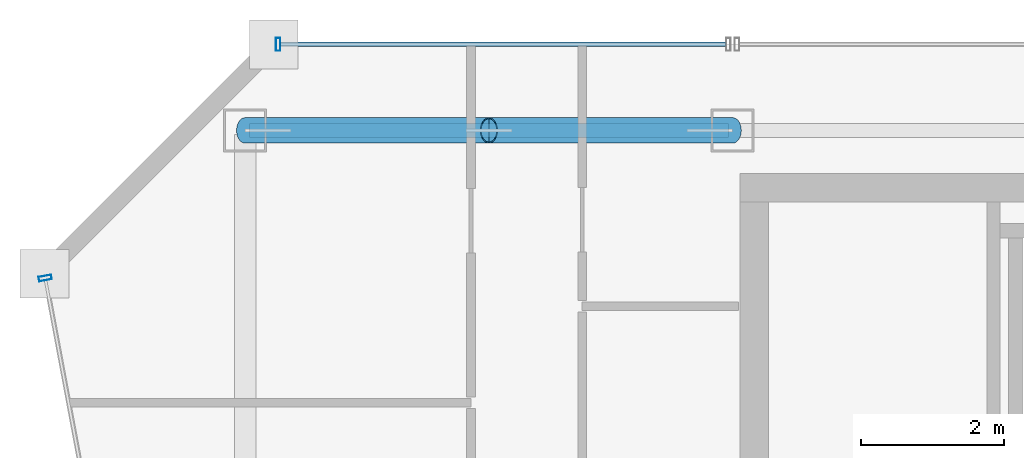
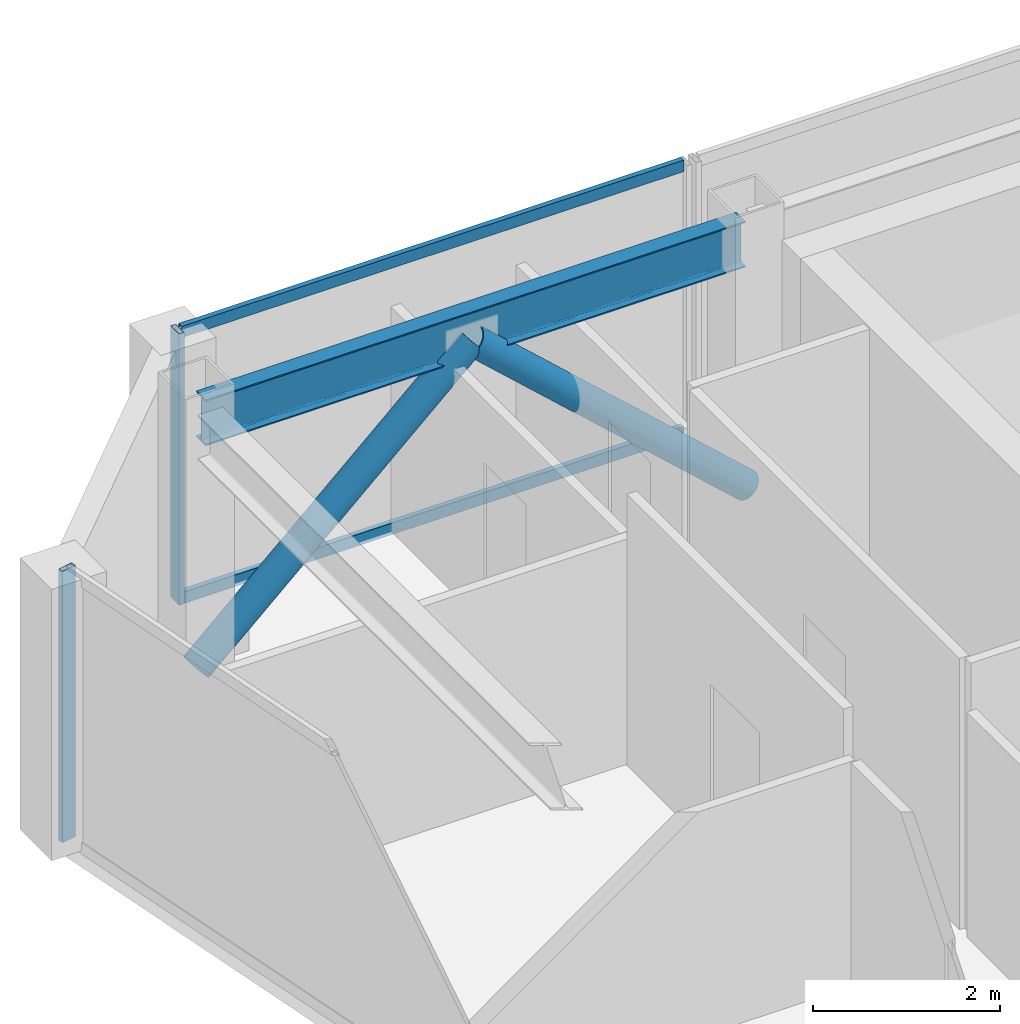
# One storey, part 8 of 23: 6 members, 1 beam, 2 elements without a shape of their own.
"""IFC4 building model written with IfcOpenShell, lengths in metres."""

from ifc_helpers import new_model, si_unit, direction, frame, origin, origin_2d, place, context, subcontext, project, spatial, hollow_rectangle, hollow_circle, i_section, extrude, material, material_profile, profile_set, type_object, element, aggregate, save


model = new_model("IFC4")

# Units and contexts
model_context = context("Model", 3, precision=1e-05, world=origin(), true_north=direction((0.0, 1.0)))
body_context = subcontext(model_context, "Body", "Model", "MODEL_VIEW")
ifc_project = project(units=[si_unit("LENGTHUNIT", "METRE"), si_unit("AREAUNIT", "SQUARE_METRE"), si_unit("VOLUMEUNIT", "CUBIC_METRE"), si_unit("PLANEANGLEUNIT", "RADIAN"), si_unit("MASSUNIT", "GRAM", prefix="KILO")], contexts=[model_context])

# Site, building, storey
site_placement = place(None, origin())
site = spatial("IfcSite", under=ifc_project, at=site_placement, CompositionType="ELEMENT")
building_placement = place(site_placement, origin())
building = spatial("IfcBuilding", under=site, at=building_placement, Name="Saevonmaru Cultural Tower", CompositionType="ELEMENT")
storey_placement = place(building_placement, frame((0.0, 0.0, 280.0)))
storey = spatial("IfcBuildingStorey", under=building, at=storey_placement, Name="L66", CompositionType="ELEMENT", Elevation=280.0)

# Beam
ifc_material_1 = material(Name="Steel SM355", Category="steel")
ifc_material_profile_1 = material_profile(ifc_material_1, i_section(OverallWidth=0.199951171875, OverallDepth=0.60009765625, WebThickness=0.010986328125, FlangeThickness=0.01708984375, FilletRadius=0.02197265625, at=origin_2d()), Name="H-600x200x11x17")
ifc_profile_set_1 = profile_set([ifc_material_profile_1], Name="Steel SM355")
beam_type = type_object("IfcBeamType", Name="BM-SP-H600", PredefinedType="SPANDREL", material=ifc_profile_set_1)
beam_placement = place(storey_placement, frame((6.860107421875, 54.800048828125, 3.25), z_axis=(1.0, 0.0, 0.0), x_axis=(0.0, 1.0, 0.0)))
element("IfcBeam", 1, at=beam_placement, inside=storey, type_object=beam_type, Name="L66 North Spine Girder 1", PredefinedType="SPANDREL", context=body_context, shape_type="SweptSolid", body=[
    extrude(i_section(OverallWidth=0.199951171875, OverallDepth=0.60009765625, WebThickness=0.010986328125, FlangeThickness=0.01708984375, FilletRadius=0.02197265625, at=origin_2d()), origin(), (0.0, 0.0, 1.0), 6.679931640625),
])

# Members
ifc_material_profile_2 = material_profile(ifc_material_1, hollow_circle(Radius=0.177734375, WallThickness=0.01611328125, at=origin_2d()), Name="CHS-355.6x16")
ifc_profile_set_2 = profile_set([ifc_material_profile_2], Name="Steel SM355")
member_type_1 = type_object("IfcMemberType", Name="MB-PBR-CHS356", PredefinedType="BRACE", material=ifc_profile_set_2)
member_1_placement = place(storey_placement, frame((6.800048828125, 54.800048828125, 0.02001953125), z_axis=(0.738935641579, 0.0, 0.673776014417), x_axis=(0.0, 1.0, 0.0)))
element("IfcMember", 2, at=member_1_placement, inside=storey, type_object=member_type_1, Name="L66 Perimeter Braced-Tube Diagonal WN1", PredefinedType="BRACE", context=body_context, shape_type="SweptSolid", body=[
    extrude(hollow_circle(Radius=0.177734375, WallThickness=0.01611328125, at=origin_2d()), origin(), (0.0, 0.0, 1.0), 4.60107421875),
])
member_2_placement = place(storey_placement, frame((13.60009765625, 54.800048828125, 0.02001953125), z_axis=(-0.738959728749, 0.0, 0.673749596873), x_axis=(0.0, -1.0, 0.0)))
element("IfcMember", 3, at=member_2_placement, inside=storey, type_object=member_type_1, Name="L66 Perimeter Braced-Tube Diagonal WN2", PredefinedType="BRACE", context=body_context, shape_type="SweptSolid", body=[
    extrude(hollow_circle(Radius=0.177734375, WallThickness=0.01611328125, at=origin_2d()), origin(), (0.0, 0.0, 1.0), 4.601318359375),
])

# Curtain wall, member
ifc_material_2 = material(Name="Satin Bronze Anodised Aluminium", Category="aluminium")
curtain_wall_type = type_object("IfcCurtainWallType", Name="CW-TYP-B", PredefinedType="NOTDEFINED", material=ifc_material_2)
curtain_wall_1_placement = place(storey_placement, origin())
curtain_wall_1 = element("IfcCurtainWall", 4, at=curtain_wall_1_placement, inside=storey, type_object=curtain_wall_type, Name="L66 West Braced Bay Spandrel Curtain Wall E10C", PredefinedType="NOTDEFINED")
ifc_material_profile_3 = material_profile(ifc_material_2, hollow_rectangle(XDim=0.06494140625, YDim=0.179931640625, WallThickness=0.00390625, at=origin_2d()), Name="ALU-MULL-180x65x4")
ifc_profile_set_3 = profile_set([ifc_material_profile_3], Name="Satin Bronze Anodised Aluminium")
member_type_2 = type_object("IfcMemberType", Name="ML-CW-180x65", PredefinedType="MULLION", material=ifc_profile_set_3)
member_3_placement = place(storey_placement, frame((7.260009765625, 56.0, 0.0), z_axis=(0.0, 0.0, 1.0), x_axis=(-1.0, 0.0, 0.0)))
member_3 = element("IfcMember", 5, at=member_3_placement, type_object=member_type_2, Name="CW-TW-L66-E10C mullion 2", PredefinedType="MULLION", context=body_context, shape_type="SweptSolid", body=[
    extrude(hollow_rectangle(XDim=0.06494140625, YDim=0.179931640625, WallThickness=0.00390625, at=origin_2d()), origin(), (0.0, 0.0, 1.0), 3.550048828125),
])

curtain_wall_2_placement = place(storey_placement, origin())
curtain_wall_2 = element("IfcCurtainWall", 6, at=curtain_wall_2_placement, inside=storey, type_object=curtain_wall_type, Name="L66 Unitised Curtain Wall E12", PredefinedType="NOTDEFINED")
member_4_placement = place(storey_placement, frame((4.010986328125, 52.740966796875, 0.0), z_axis=(0.0, 0.0, 1.0), x_axis=(0.184046528232, -0.982917532373, 0.0)))
member_4 = element("IfcMember", 7, at=member_4_placement, type_object=member_type_2, Name="CW-TW-L66-E12 mullion 1", PredefinedType="MULLION", context=body_context, shape_type="SweptSolid", body=[
    extrude(hollow_rectangle(XDim=0.06494140625, YDim=0.179931640625, WallThickness=0.00390625, at=origin_2d()), origin(), (0.0, 0.0, 1.0), 3.550048828125),
])
aggregate(curtain_wall_2, [member_4])

# Member
ifc_material_profile_4 = material_profile(ifc_material_2, hollow_rectangle(XDim=0.06494140625, YDim=0.14990234375, WallThickness=0.00390625, at=origin_2d()), Name="ALU-TRAN-150x65x4")
ifc_profile_set_4 = profile_set([ifc_material_profile_4], Name="Satin Bronze Anodised Aluminium")
member_type_3 = type_object("IfcMemberType", Name="TR-CW-150x65", PredefinedType="USERDEFINED", material=ifc_profile_set_4)
member_5_placement = place(storey_placement, frame((13.507568359375, 56.0, 0.032470703125), z_axis=(-1.0, 0.0, 0.0), x_axis=(0.0, -1.0, 0.0)))
member_5 = element("IfcMember", 8, at=member_5_placement, type_object=member_type_3, Name="CW-TW-L66-E10C transom 1.1", ObjectType="TRANSOM", PredefinedType="USERDEFINED", context=body_context, shape_type="SweptSolid", body=[
    extrude(hollow_rectangle(XDim=0.06494140625, YDim=0.14990234375, WallThickness=0.00390625, at=origin_2d()), origin(), (0.0, 0.0, 1.0), 6.215087890625),
])

member_6_placement = place(storey_placement, frame((13.507568359375, 56.0, 3.517578125), z_axis=(-1.0, 0.0, 0.0), x_axis=(0.0, -1.0, 0.0)))
member_6 = element("IfcMember", 9, at=member_6_placement, type_object=member_type_3, Name="CW-TW-L66-E10C transom 1.2", ObjectType="TRANSOM", PredefinedType="USERDEFINED", context=body_context, shape_type="SweptSolid", body=[
    extrude(hollow_rectangle(XDim=0.06494140625, YDim=0.14990234375, WallThickness=0.00390625, at=origin_2d()), origin(), (0.0, 0.0, 1.0), 6.215087890625),
])

aggregate(curtain_wall_1, [member_3, member_5, member_6])

save(model, "model.ifc")
